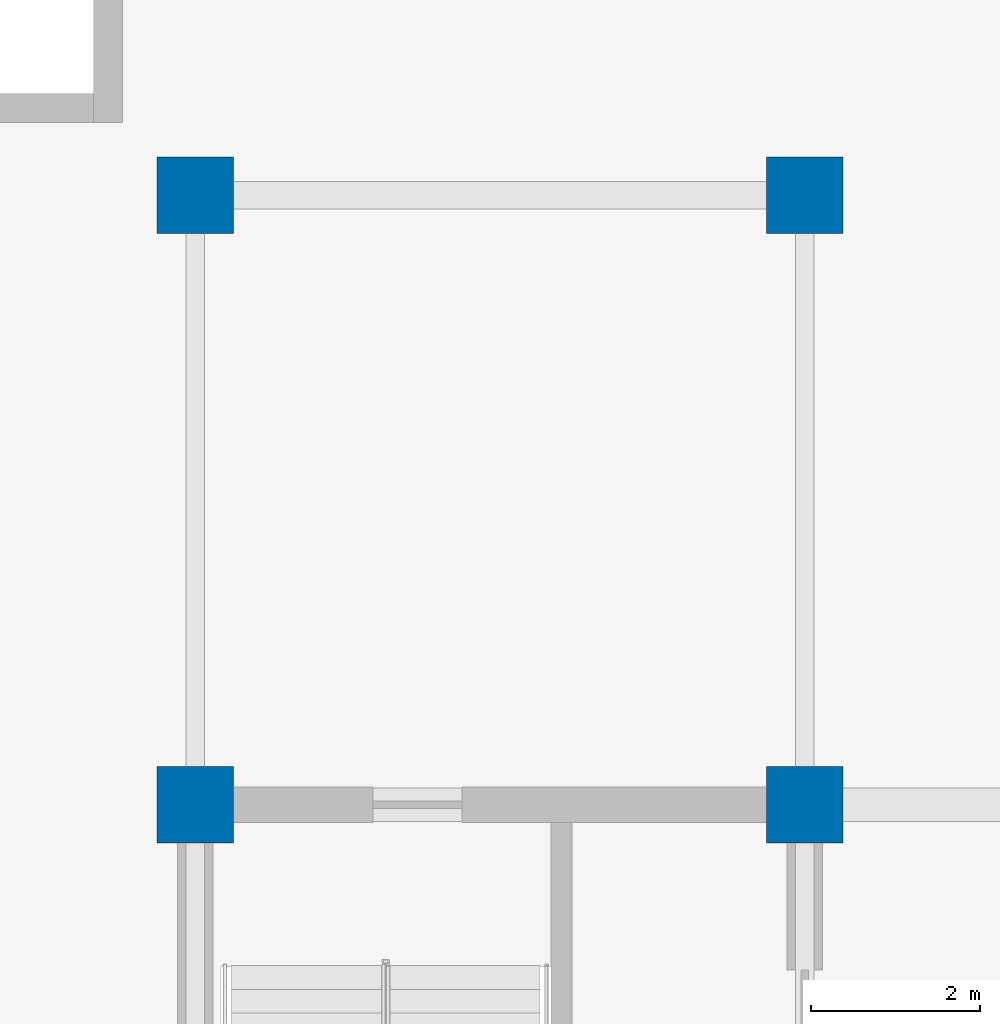
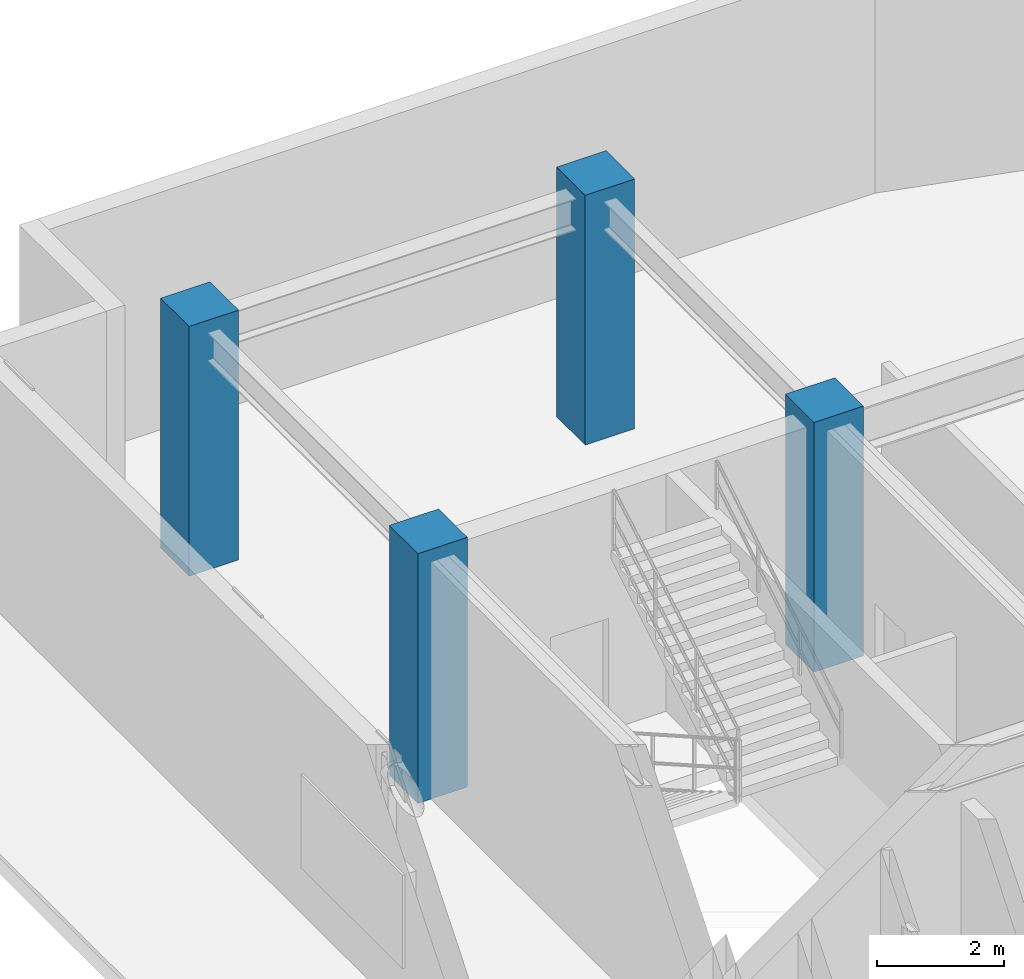
# One storey, part 2 of 13: 4 columns.
"""IFC4 building model written with IfcOpenShell, lengths in metres."""

from ifc_helpers import new_model, entity, si_unit, converted_unit, direction, frame, origin_with_axes, origin_2d_with_axis, place, context, subcontext, project, spatial, rectangle, extrude, material, material_profile, profile_set, type_object, element, save


model = new_model("IFC4")

# Units and contexts
model_context = context("Model", 3, precision=1e-05, world=origin_with_axes(), true_north=direction((0.0, 1.0)))
body_context = subcontext(model_context, "Body", "Model", "MODEL_VIEW")
ifc_project = project(units=[si_unit("LENGTHUNIT", "METRE"), si_unit("AREAUNIT", "SQUARE_METRE"), si_unit("VOLUMEUNIT", "CUBIC_METRE"), converted_unit("PLANEANGLEUNIT", "DEGREE", entity("IfcPlaneAngleMeasure", 0.017453292519943295), si_unit("PLANEANGLEUNIT", "RADIAN"), dimensions=[0, 0, 0, 0, 0, 0, 0]), si_unit("MASSUNIT", "GRAM", prefix="KILO"), si_unit("THERMODYNAMICTEMPERATUREUNIT", "KELVIN")], contexts=[model_context])

# Site, building, storey
site_placement = place(None, origin_with_axes())
site = spatial("IfcSite", under=ifc_project, at=site_placement, CompositionType="ELEMENT")
building_placement = place(site_placement, origin_with_axes())
building = spatial("IfcBuilding", under=site, at=building_placement, Name="Varnlund Millrace Tower", CompositionType="ELEMENT")
storey_placement = place(building_placement, frame((0.0, 0.0, 248.1), z_axis=(0.0, 0.0, 1.0), x_axis=(1.0, 0.0, 0.0)))
storey = spatial("IfcBuildingStorey", under=building, at=storey_placement, Name="L61", CompositionType="ELEMENT", Elevation=248.1)

# Columns
ifc_material = material(Name="Concrete C70/85", Category="concrete")
ifc_material_profile = material_profile(ifc_material, rectangle(XDim=0.9, YDim=0.9, at=origin_2d_with_axis()), Name="Concrete C70/85")
ifc_profile_set = profile_set([ifc_material_profile], Name="Concrete C70/85")
column_type = type_object("IfcColumnType", Name="Type-Col-RC900-C70", PredefinedType="COLUMN", material=ifc_profile_set)
for number, where, z_axis, x_axis, name in (
    (1, (11.4, 37.8, 0.0), (0.0, 0.0, 1.0), (1.0, 0.0, 0.0), "Type-Col-RC900-C70"),
    (2, (11.4, 45.0, 0.0), (0.0, 0.0, 1.0), (1.0, 0.0, 0.0), "Type-Col-RC900-C70"),
    (3, (18.6, 37.8, 0.0), (0.0, 0.0, 1.0), (1.0, 0.0, 0.0), "Type-Col-RC900-C70"),
    (4, (18.6, 45.0, 0.0), (0.0, 0.0, 1.0), (1.0, 0.0, 0.0), "Type-Col-RC900-C70"),
):
    element("IfcColumn", number, at=place(storey_placement, frame(where, z_axis=z_axis, x_axis=x_axis)), inside=storey, type_object=column_type, Name=name, PredefinedType="COLUMN", context=body_context, shape_type="SweptSolid", body=[
        extrude(rectangle(XDim=0.9, YDim=0.9, at=origin_2d_with_axis()), origin_with_axes(), (0.0, 0.0, 1.0), 4.8),
    ])

save(model, "model.ifc")
